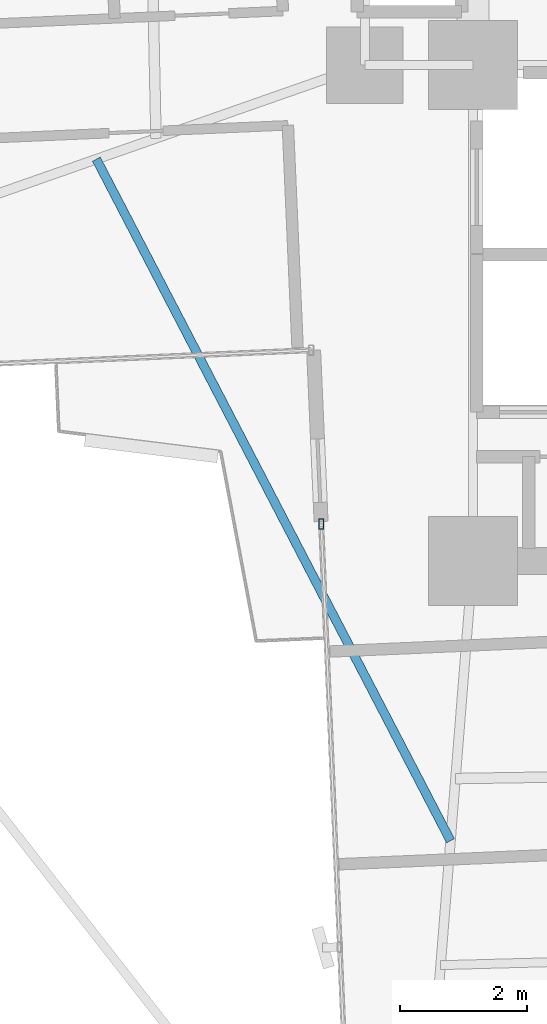
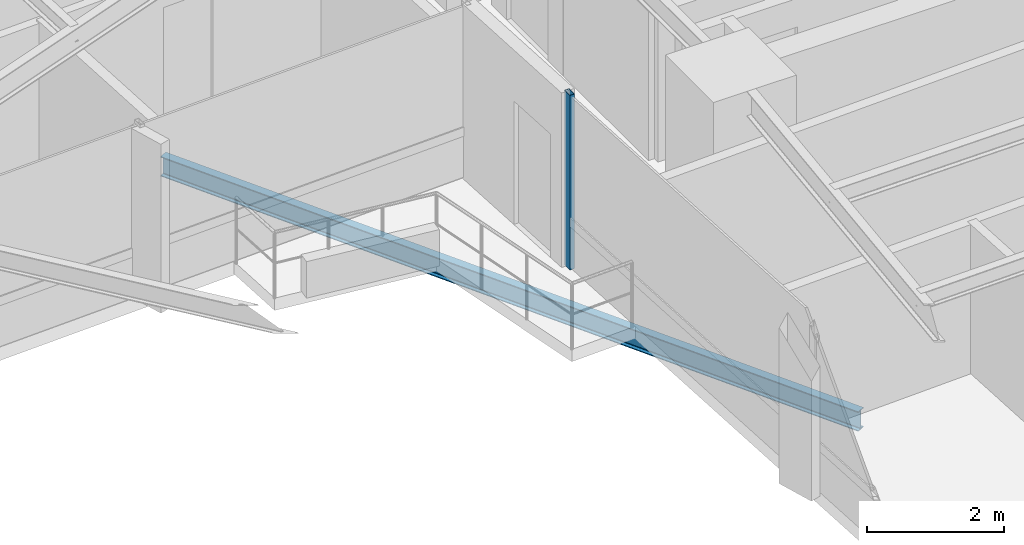
# One storey, part 5 of 26: 1 beam, 1 member, 1 element without a shape of its own.
"""IFC4 building model written with IfcOpenShell, lengths in metres."""

from ifc_helpers import new_model, si_unit, direction, frame, origin, origin_2d, place, context, subcontext, project, spatial, hollow_rectangle, i_section, extrude, source, transform, mapped, material, material_profile, profile_set, type_object, element, aggregate, save


model = new_model("IFC4")

# Units and contexts
model_context = context("Model", 3, precision=1e-05, world=origin(), true_north=direction((0.0, 1.0)))
body_context = subcontext(model_context, "Body", "Model", "MODEL_VIEW")
ifc_project = project(units=[si_unit("LENGTHUNIT", "METRE"), si_unit("AREAUNIT", "SQUARE_METRE"), si_unit("VOLUMEUNIT", "CUBIC_METRE"), si_unit("PLANEANGLEUNIT", "RADIAN"), si_unit("MASSUNIT", "GRAM", prefix="KILO")], contexts=[model_context])

# Site, building, storey
site_placement = place(None, origin())
site = spatial("IfcSite", under=ifc_project, at=site_placement, CompositionType="ELEMENT")
building_placement = place(site_placement, origin())
building = spatial("IfcBuilding", under=site, at=building_placement, Name="Sahyath Konkavel Grand Hotel", CompositionType="ELEMENT")
storey_placement = place(building_placement, frame((0.0, 0.0, 100.25)))
storey = spatial("IfcBuildingStorey", under=building, at=storey_placement, Name="L27", CompositionType="ELEMENT", Elevation=100.25)

# Curtain wall, member
ifc_material_1 = material(Name="Anodised Bronze Aluminium & Low-E Glazing", Category="aluminium")
curtain_wall_type = type_object("IfcCurtainWallType", Name="CW-ZONE2", PredefinedType="NOTDEFINED", material=ifc_material_1)
curtain_wall_placement = place(storey_placement, origin())
curtain_wall = element("IfcCurtainWall", 1, at=curtain_wall_placement, inside=storey, type_object=curtain_wall_type, Name="L27 Unitised Curtain Wall F24", PredefinedType="NOTDEFINED")
ifc_material_2 = material(Name="Anodised Bronze Aluminium", Category="aluminium")
ifc_material_profile_1 = material_profile(ifc_material_2, hollow_rectangle(XDim=0.080078125, YDim=0.159912109375, WallThickness=0.006103515625, at=origin_2d()), Name="RHS 160x80x6")
ifc_profile_set_1 = profile_set([ifc_material_profile_1], Name="Anodised Bronze Aluminium")
member_type = type_object("IfcMemberType", Name="CW-MUL-160", PredefinedType="MULLION", material=ifc_profile_set_1)
shared_shape_1 = source(origin(), body_context, "Body", "SweptSolid", [
    extrude(hollow_rectangle(XDim=0.080078125, YDim=0.159912109375, WallThickness=0.006103515625, at=origin_2d()), origin(), (0.0, 0.0, 1.0), 3.110107421875),
])
member_placement = place(storey_placement, frame((-6.186279296875, -9.618896484375, 0.0), z_axis=(0.0, 0.0, 1.0), x_axis=(1.0, 0.0, 0.0)))
member = element("IfcMember", 2, at=member_placement, type_object=member_type, Name="L27 Curtain Wall Mullion F24-0", PredefinedType="MULLION", context=body_context, shape_type="MappedRepresentation", body=[
    mapped(shared_shape_1, transform((0.0, 0.0, 0.0), scale=1.0)),
])
aggregate(curtain_wall, [member])

# Beam
ifc_material_3 = material(Name="Steel E350", Category="steel")
ifc_material_profile_2 = material_profile(ifc_material_3, i_section(OverallWidth=0.139892578125, OverallDepth=0.35009765625, WebThickness=0.008056640625, FlangeThickness=0.01416015625, FilletRadius=0.013916015625, at=origin_2d()), Name="ISMB 350")
ifc_profile_set_2 = profile_set([ifc_material_profile_2], Name="Steel E350")
beam_type = type_object("IfcBeamType", Name="BM-BALC-CANT", PredefinedType="BEAM", material=ifc_profile_set_2)
shared_shape_2 = source(origin(), body_context, "Body", "SweptSolid", [
    extrude(i_section(OverallWidth=0.139892578125, OverallDepth=0.35009765625, WebThickness=0.008056640625, FlangeThickness=0.01416015625, FilletRadius=0.013916015625, at=origin_2d()), origin(), (0.0, 0.0, 1.0), 12.085205078125),
])
beam_placement = place(storey_placement, frame((-9.7236328125, -3.87890625, -0.4150390625), z_axis=(0.461082384626, -0.887357331962, 0.0), x_axis=(0.887357331962, 0.461082384626, 0.0)))
element("IfcBeam", 3, at=beam_placement, inside=storey, type_object=beam_type, Name="L27 Balcony Cantilever Support Beam SW", PredefinedType="BEAM", context=body_context, shape_type="MappedRepresentation", body=[
    mapped(shared_shape_2, transform((0.0, 0.0, 0.0), scale=1.0)),
])

save(model, "model.ifc")
